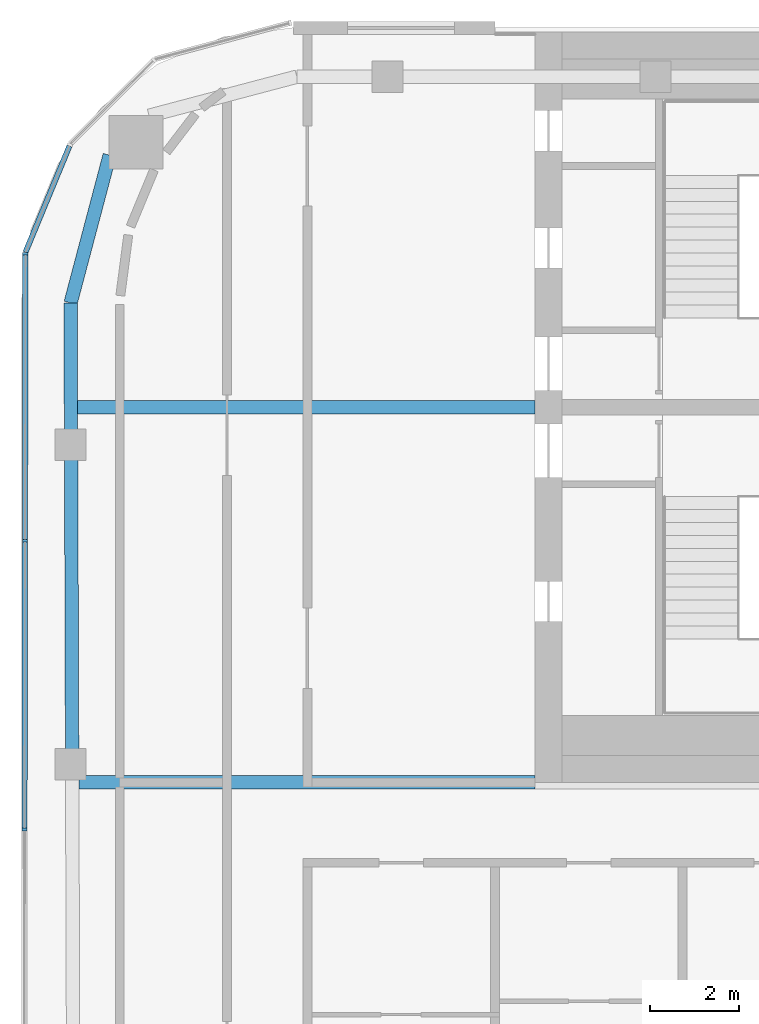
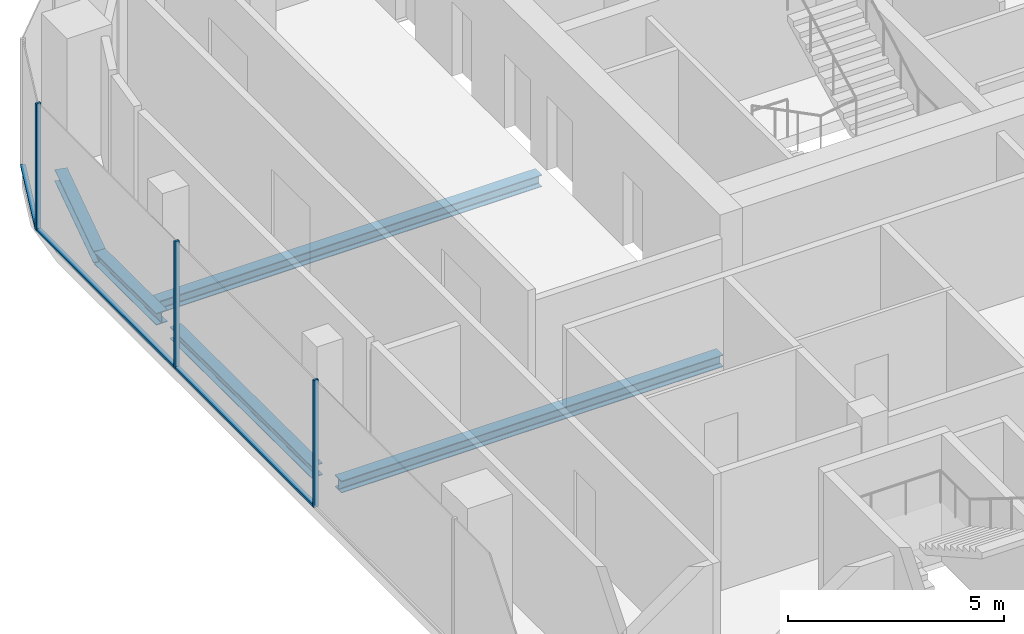
# One storey, part 8 of 19: 6 members, 5 beams, 2 elements without a shape of their own.
"""IFC4 building model written with IfcOpenShell, lengths in metres."""

from ifc_helpers import new_model, si_unit, direction, frame, origin, origin_2d, place, context, subcontext, project, spatial, rectangle, i_section, extrude, material, layer, layer_set, material_profile, profile_set, type_object, element, aggregate, save


model = new_model("IFC4")

# Units and contexts
model_context = context("Model", 3, precision=1e-05, world=origin(), true_north=direction((0.0, 1.0)))
body_context = subcontext(model_context, "Body", "Model", "MODEL_VIEW")
ifc_project = project(units=[si_unit("LENGTHUNIT", "METRE"), si_unit("AREAUNIT", "SQUARE_METRE"), si_unit("VOLUMEUNIT", "CUBIC_METRE"), si_unit("PLANEANGLEUNIT", "RADIAN"), si_unit("MASSUNIT", "GRAM", prefix="KILO")], contexts=[model_context])

# Site, building, storey
site_placement = place(None, origin())
site = spatial("IfcSite", under=ifc_project, at=site_placement, CompositionType="ELEMENT")
building_placement = place(site_placement, origin())
building = spatial("IfcBuilding", under=site, at=building_placement, Name="Marenta Gate Hotel Tower", CompositionType="ELEMENT")
storey_placement = place(building_placement, frame((0.0, 0.0, 274.10009765625)))
storey = spatial("IfcBuildingStorey", under=building, at=storey_placement, Name="L63", CompositionType="ELEMENT", Elevation=274.10009765625)

# Beams
ifc_material_1 = material(Name="Steel S355", Category="steel")
ifc_material_profile_1 = material_profile(ifc_material_1, i_section(OverallWidth=0.300048828125, OverallDepth=0.340087890625, WebThickness=0.011962890625, FlangeThickness=0.021484375, FilletRadius=0.027099609375, at=origin_2d()), Name="HEB 340")
ifc_profile_set_1 = profile_set([ifc_material_profile_1], Name="Steel S355")
beam_type_1 = type_object("IfcBeamType", Name="Edge beam HEB 340", PredefinedType="SPANDREL", material=ifc_profile_set_1)
beam_1_placement = place(storey_placement, frame((-22.066650390625, 0.713134765625, -0.43017578125), z_axis=(-0.003325841098, 0.999994469375, 0.0), x_axis=(-0.999994469375, -0.003325841098, 0.0)))
element("IfcBeam", 1, at=beam_1_placement, inside=storey, type_object=beam_type_1, Name="L63-EB-9", PredefinedType="SPANDREL", context=body_context, shape_type="SweptSolid", body=[
    extrude(i_section(OverallWidth=0.300048828125, OverallDepth=0.340087890625, WebThickness=0.011962890625, FlangeThickness=0.021484375, FilletRadius=0.027099609375, at=origin_2d()), origin(), (0.0, 0.0, 1.0), 6.533203125),
])
beam_2_placement = place(storey_placement, frame((-22.09033203125, 7.866455078125, -0.43017578125), z_axis=(-0.003405104972, 0.999994202613, 0.0), x_axis=(-0.999994202613, -0.003405104972, 0.0)))
element("IfcBeam", 2, at=beam_2_placement, inside=storey, type_object=beam_type_1, Name="L63-EB-10", PredefinedType="SPANDREL", context=body_context, shape_type="SweptSolid", body=[
    extrude(i_section(OverallWidth=0.300048828125, OverallDepth=0.340087890625, WebThickness=0.011962890625, FlangeThickness=0.021484375, FilletRadius=0.027099609375, at=origin_2d()), origin(), (0.0, 0.0, 1.0), 2.867919921875),
])
beam_3_placement = place(storey_placement, frame((-22.10009765625, 10.734375, -0.43017578125), z_axis=(0.255659169039, 0.966766977759, 0.0), x_axis=(-0.966766977759, 0.255659169039, 0.0)))
element("IfcBeam", 3, at=beam_3_placement, inside=storey, type_object=beam_type_1, Name="L63-EB-11", PredefinedType="SPANDREL", context=body_context, shape_type="SweptSolid", body=[
    extrude(i_section(OverallWidth=0.300048828125, OverallDepth=0.340087890625, WebThickness=0.011962890625, FlangeThickness=0.021484375, FilletRadius=0.027099609375, at=origin_2d()), origin(), (0.0, 0.0, 1.0), 3.421630859375),
])
ifc_material_2 = material(Name="Steel S355", Category="steel")
ifc_material_profile_2 = material_profile(ifc_material_2, i_section(OverallWidth=0.300048828125, OverallDepth=0.340087890625, WebThickness=0.011962890625, FlangeThickness=0.021484375, FilletRadius=0.027099609375, at=origin_2d()), Name="HEB 340")
ifc_profile_set_2 = profile_set([ifc_material_profile_2], Name="Steel S355")
beam_type_2 = type_object("IfcBeamType", Name="Girder HEB 340", PredefinedType="BEAM", material=ifc_profile_set_2)
beam_4_placement = place(storey_placement, frame((-21.914306640625, 0.0, -0.43017578125), z_axis=(1.0, 0.0, 0.0), x_axis=(0.0, 1.0, 0.0)))
element("IfcBeam", 4, at=beam_4_placement, inside=storey, type_object=beam_type_2, Name="L63-GD-16", PredefinedType="BEAM", context=body_context, shape_type="SweptSolid", body=[
    extrude(i_section(OverallWidth=0.300048828125, OverallDepth=0.340087890625, WebThickness=0.011962890625, FlangeThickness=0.021484375, FilletRadius=0.027099609375, at=origin_2d()), origin(), (0.0, 0.0, 1.0), 10.21435546875),
])
beam_5_placement = place(storey_placement, frame((-21.942138671875, 8.39990234375, -0.43017578125), z_axis=(1.0, 0.0, 0.0), x_axis=(0.0, 1.0, 0.0)))
element("IfcBeam", 5, at=beam_5_placement, inside=storey, type_object=beam_type_2, Name="L63-GD-19", PredefinedType="BEAM", context=body_context, shape_type="SweptSolid", body=[
    extrude(i_section(OverallWidth=0.300048828125, OverallDepth=0.340087890625, WebThickness=0.011962890625, FlangeThickness=0.021484375, FilletRadius=0.027099609375, at=origin_2d()), origin(), (0.0, 0.0, 1.0), 10.2421875),
])

# Curtain wall, members
ifc_material_3 = material(Name="Tinted insulated glass in bronze anodised frame", Category="glass")
ifc_layer = layer(ifc_material_3, 0.1201171875)
ifc_layer_set = layer_set([ifc_layer], Name="Tinted insulated glass in bronze anodised frame")
curtain_wall_type = type_object("IfcCurtainWallType", Name="Tower unitised curtain wall CW1", PredefinedType="NOTDEFINED", material=ifc_layer_set)
curtain_wall_1_placement = place(storey_placement, origin())
curtain_wall_1 = element("IfcCurtainWall", 6, at=curtain_wall_1_placement, inside=storey, type_object=curtain_wall_type, Name="CW1 run G03", PredefinedType="NOTDEFINED")
ifc_material_4 = material(Name="Bronze anodised aluminium", Category="aluminium")
ifc_material_profile_3 = material_profile(ifc_material_4, rectangle(XDim=0.1201171875, YDim=0.06005859375, at=origin_2d()), Name="Mullion CW1 60x120 bronze anodised aluminium")
ifc_profile_set_3 = profile_set([ifc_material_profile_3], Name="Bronze anodised aluminium")
member_type_1 = type_object("IfcMemberType", Name="Mullion CW1 60x120 bronze anodised aluminium", PredefinedType="MULLION", material=ifc_profile_set_3)
member_1_placement = place(storey_placement, frame((-23.1123046875, 11.836181640625, 0.0), z_axis=(0.0, 0.0, 1.0), x_axis=(0.99999877375, -0.001566045546, 0.0)))
member_1 = element("IfcMember", 7, at=member_1_placement, type_object=member_type_1, Name="CW1 mullion 1", PredefinedType="MULLION", context=body_context, shape_type="SweptSolid", body=[
    extrude(rectangle(XDim=0.1201171875, YDim=0.06005859375, at=origin_2d()), origin(), (0.0, 0.0, 1.0), 3.599853515625),
])
member_2_placement = place(storey_placement, frame((-23.122314453125, 5.40625, 0.0), z_axis=(0.0, 0.0, 1.0), x_axis=(0.99999877375, -0.001566045546, 0.0)))
member_2 = element("IfcMember", 8, at=member_2_placement, type_object=member_type_1, Name="CW1 mullion 2", PredefinedType="MULLION", context=body_context, shape_type="SweptSolid", body=[
    extrude(rectangle(XDim=0.1201171875, YDim=0.06005859375, at=origin_2d()), origin(), (0.0, 0.0, 1.0), 3.599853515625),
])
member_3_placement = place(storey_placement, frame((-23.132568359375, -1.0537109375, 0.0), z_axis=(0.0, 0.0, 1.0), x_axis=(0.99999877375, -0.001566045546, 0.0)))
member_3 = element("IfcMember", 9, at=member_3_placement, type_object=member_type_1, Name="CW1 mullion 3", PredefinedType="MULLION", context=body_context, shape_type="SweptSolid", body=[
    extrude(rectangle(XDim=0.1201171875, YDim=0.06005859375, at=origin_2d()), origin(), (0.0, 0.0, 1.0), 3.599853515625),
])

# Curtain wall, member
curtain_wall_2_placement = place(storey_placement, origin())
curtain_wall_2 = element("IfcCurtainWall", 10, at=curtain_wall_2_placement, inside=storey, type_object=curtain_wall_type, Name="CW1 run G02", PredefinedType="NOTDEFINED")
ifc_material_5 = material(Name="Bronze anodised aluminium", Category="aluminium")
ifc_material_profile_4 = material_profile(ifc_material_5, rectangle(XDim=0.1201171875, YDim=0.06005859375, at=origin_2d()), Name="Transom CW1 60x120 bronze anodised aluminium")
ifc_profile_set_4 = profile_set([ifc_material_profile_4], Name="Bronze anodised aluminium")
member_type_2 = type_object("IfcMemberType", Name="Transom CW1 60x120 bronze anodised aluminium", PredefinedType="USERDEFINED", material=ifc_profile_set_4)
member_4_placement = place(storey_placement, frame((-22.126708984375, 14.245849609375, 0.02978515625), z_axis=(-0.382655957149, -0.92389091264, 0.0), x_axis=(0.92389091264, -0.382655957149, 0.0)))
member_4 = element("IfcMember", 11, at=member_4_placement, type_object=member_type_2, Name="CW1 transom 1.1", ObjectType="TRANSOM", PredefinedType="USERDEFINED", context=body_context, shape_type="SweptSolid", body=[
    extrude(rectangle(XDim=0.1201171875, YDim=0.06005859375, at=origin_2d()), origin(), (0.0, 0.0, 1.0), 2.57568359375),
])
aggregate(curtain_wall_2, [member_4])

# Member
member_5_placement = place(storey_placement, frame((-23.1123046875, 11.80615234375, 0.02978515625), z_axis=(-0.001571421156, -0.999998765317, 0.0), x_axis=(0.999998765317, -0.001571421156, 0.0)))
member_5 = element("IfcMember", 12, at=member_5_placement, type_object=member_type_2, Name="CW1 transom 1.1", ObjectType="TRANSOM", PredefinedType="USERDEFINED", context=body_context, shape_type="SweptSolid", body=[
    extrude(rectangle(XDim=0.1201171875, YDim=0.06005859375, at=origin_2d()), origin(), (0.0, 0.0, 1.0), 6.369873046875),
])

member_6_placement = place(storey_placement, frame((-23.12255859375, 5.376220703125, 0.02978515625), z_axis=(-0.001564047831, -0.999998776876, 0.0), x_axis=(0.999998776876, -0.001564047831, 0.0)))
member_6 = element("IfcMember", 13, at=member_6_placement, type_object=member_type_2, Name="CW1 transom 2.1", ObjectType="TRANSOM", PredefinedType="USERDEFINED", context=body_context, shape_type="SweptSolid", body=[
    extrude(rectangle(XDim=0.1201171875, YDim=0.06005859375, at=origin_2d()), origin(), (0.0, 0.0, 1.0), 6.39990234375),
])

aggregate(curtain_wall_1, [member_1, member_2, member_3, member_5, member_6])

save(model, "model.ifc")
